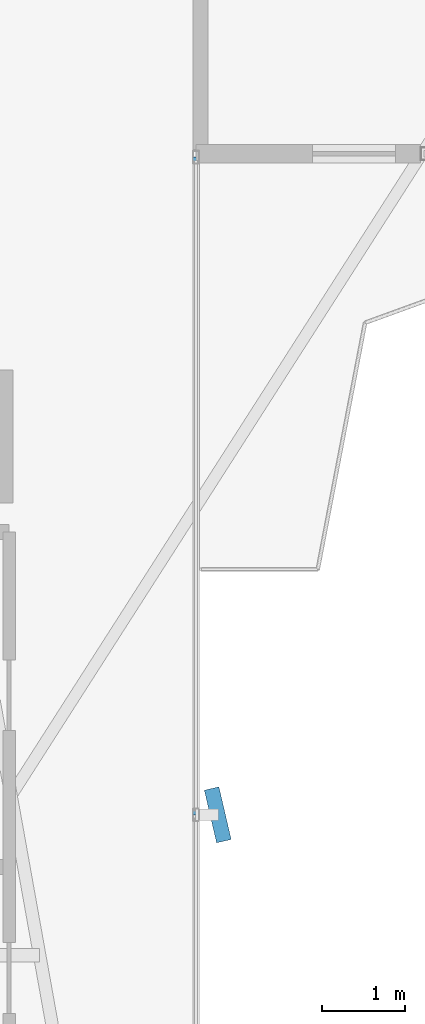
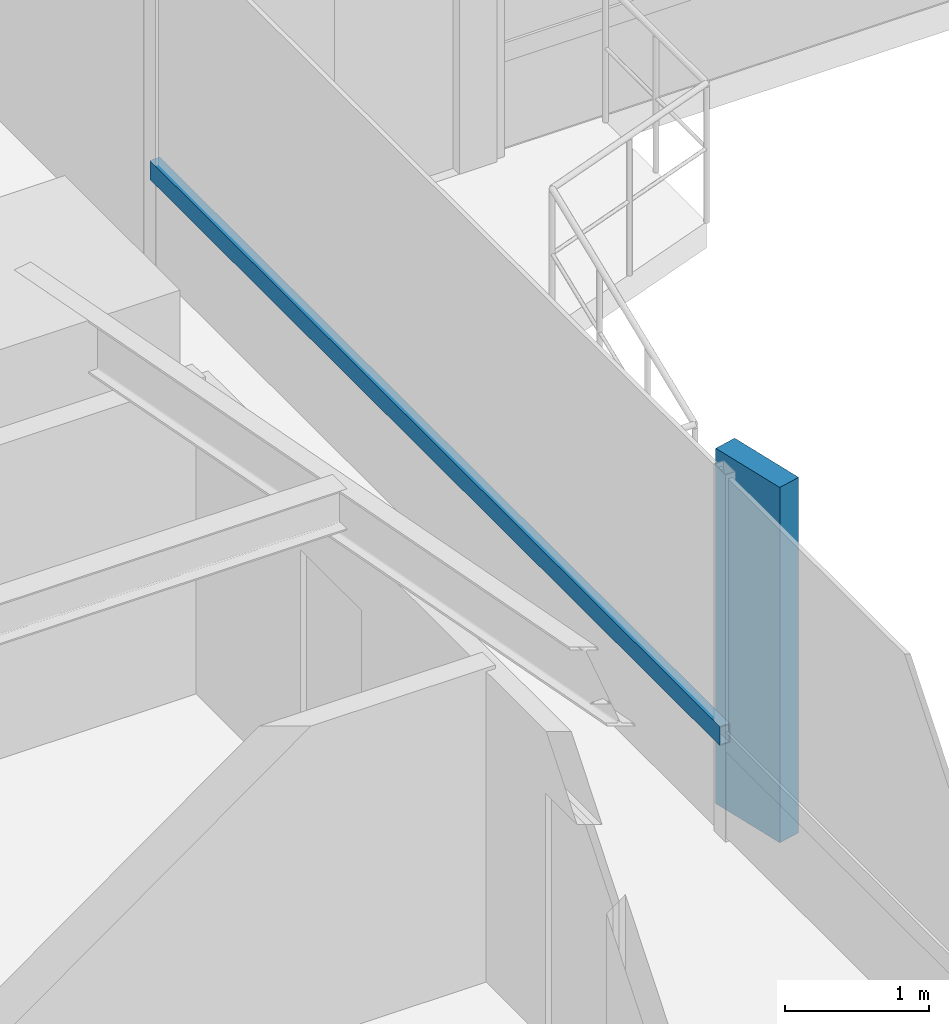
# One storey, part 5 of 26: 2 members, 1 element without a shape of its own.
"""IFC4 building model written with IfcOpenShell, lengths in metres."""

from ifc_helpers import new_model, si_unit, direction, frame, origin, origin_2d, place, context, subcontext, project, spatial, rectangle, hollow_rectangle, extrude, source, transform, mapped, material, material_profile, profile_set, type_object, element, aggregate, save


model = new_model("IFC4")

# Units and contexts
model_context = context("Model", 3, precision=1e-05, world=origin(), true_north=direction((0.0, 1.0)))
body_context = subcontext(model_context, "Body", "Model", "MODEL_VIEW")
ifc_project = project(units=[si_unit("LENGTHUNIT", "METRE"), si_unit("AREAUNIT", "SQUARE_METRE"), si_unit("VOLUMEUNIT", "CUBIC_METRE"), si_unit("PLANEANGLEUNIT", "RADIAN"), si_unit("MASSUNIT", "GRAM", prefix="KILO")], contexts=[model_context])

# Site, building, storey
site_placement = place(None, origin())
site = spatial("IfcSite", under=ifc_project, at=site_placement, CompositionType="ELEMENT")
building_placement = place(site_placement, origin())
building = spatial("IfcBuilding", under=site, at=building_placement, Name="Sahyath Konkavel Grand Hotel", CompositionType="ELEMENT")
storey_placement = place(building_placement, frame((0.0, 0.0, 29.800048828125)))
storey = spatial("IfcBuildingStorey", under=building, at=storey_placement, Name="L07", CompositionType="ELEMENT", Elevation=29.800048828125)

# Curtain wall, members
ifc_material_1 = material(Name="Anodised Bronze Aluminium & Low-E Glazing", Category="aluminium")
curtain_wall_type = type_object("IfcCurtainWallType", Name="CW-ZONE1", PredefinedType="NOTDEFINED", material=ifc_material_1)
curtain_wall_placement = place(storey_placement, origin())
curtain_wall = element("IfcCurtainWall", 1, at=curtain_wall_placement, inside=storey, type_object=curtain_wall_type, Name="L07 Unitised Curtain Wall F31", PredefinedType="NOTDEFINED")
ifc_material_2 = material(Name="Warm Buff Sandstone Cladding on Concrete C50/60", Category="masonry")
ifc_material_profile_1 = material_profile(ifc_material_2, rectangle(XDim=0.179931640625, YDim=0.64990234375, at=origin_2d()), Name="FIN 180x650")
ifc_profile_set_1 = profile_set([ifc_material_profile_1], Name="Warm Buff Sandstone Cladding on Concrete C50/60")
member_type_1 = type_object("IfcMemberType", Name="FIN-SANDSTONE-650", PredefinedType="MULLION", material=ifc_profile_set_1)
shared_shape_1 = source(origin(), body_context, "Body", "SweptSolid", [
    extrude(rectangle(XDim=0.179931640625, YDim=0.64990234375, at=origin_2d()), origin(), (0.0, 0.0, 1.0), 3.010009765625),
])
member_1_placement = place(storey_placement, frame((7.06005859375, -14.75, 0.050048828125), z_axis=(0.0, 0.0, 1.0), x_axis=(0.973896791711, 0.226991275371, 0.0)))
member_1 = element("IfcMember", 2, at=member_1_placement, type_object=member_type_1, Name="L07 Sandstone Vertical Solar Fin FIN F31-1", PredefinedType="MULLION", context=body_context, shape_type="MappedRepresentation", body=[
    mapped(shared_shape_1, transform((0.0, 0.0, 0.0), scale=1.0)),
])
ifc_material_3 = material(Name="Anodised Bronze Aluminium", Category="aluminium")
ifc_material_profile_2 = material_profile(ifc_material_3, hollow_rectangle(XDim=0.080078125, YDim=0.159912109375, WallThickness=0.006103515625, at=origin_2d()), Name="RHS 160x80x6")
ifc_profile_set_2 = profile_set([ifc_material_profile_2], Name="Anodised Bronze Aluminium")
member_type_2 = type_object("IfcMemberType", Name="CW-TRN-160", PredefinedType="USERDEFINED", material=ifc_profile_set_2)
shared_shape_2 = source(origin(), body_context, "Body", "SweptSolid", [
    extrude(hollow_rectangle(XDim=0.080078125, YDim=0.159912109375, WallThickness=0.006103515625, at=origin_2d()), origin(), (0.0, 0.0, 1.0), 7.909912109375),
])
member_2_placement = place(storey_placement, frame((6.800048828125, -14.75, 0.849853515625), z_axis=(0.0, 1.0, 0.0), x_axis=(-1.0, 0.0, 0.0)))
member_2 = element("IfcMember", 3, at=member_2_placement, type_object=member_type_2, Name="L07 Curtain Wall Transom F31-1-spandrel", ObjectType="TRANSOM", PredefinedType="USERDEFINED", context=body_context, shape_type="MappedRepresentation", body=[
    mapped(shared_shape_2, transform((0.0, 0.0, 0.0), scale=1.0)),
])
aggregate(curtain_wall, [member_1, member_2])

save(model, "model.ifc")
